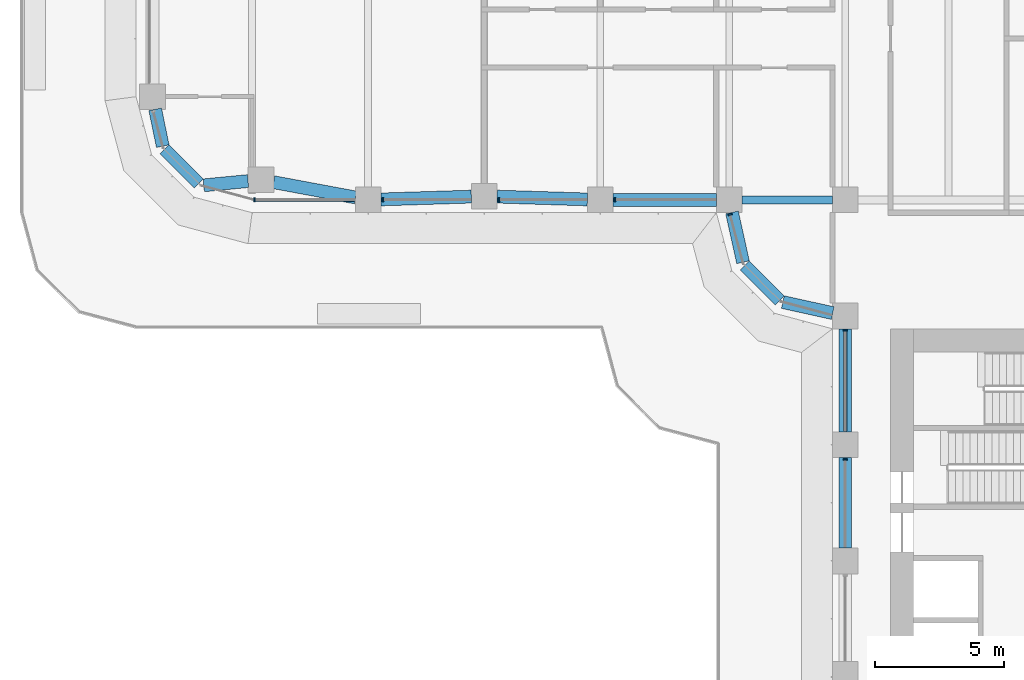
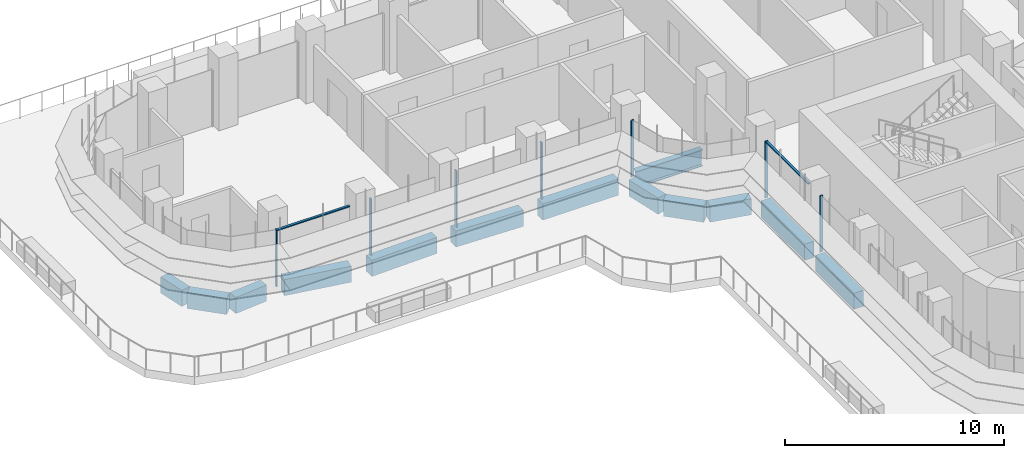
# One storey, part 3 of 26: 13 beams, 9 members, 3 elements without a shape of their own.
"""IFC4 building model written with IfcOpenShell, lengths in metres."""

from ifc_helpers import new_model, si_unit, direction, frame, origin, origin_2d, place, context, subcontext, project, spatial, polyline, rectangle, i_section, outline, extrude, source, transform, mapped, material, material_profile, profile_set, type_object, element, aggregate, save


model = new_model("IFC4")

# Units and contexts
model_context = context("Model", 3, precision=1e-05, world=origin(), true_north=direction((0.0, 1.0)))
body_context = subcontext(model_context, "Body", "Model", "MODEL_VIEW")
ifc_project = project(units=[si_unit("LENGTHUNIT", "METRE"), si_unit("AREAUNIT", "SQUARE_METRE"), si_unit("VOLUMEUNIT", "CUBIC_METRE"), si_unit("PLANEANGLEUNIT", "RADIAN"), si_unit("MASSUNIT", "GRAM", prefix="KILO")], contexts=[model_context])

# Site, building, storey
site_placement = place(None, origin())
site = spatial("IfcSite", under=ifc_project, at=site_placement, CompositionType="ELEMENT")
building_placement = place(site_placement, origin())
building = spatial("IfcBuilding", under=site, at=building_placement, Name="Zarbagh Exchange Tower", CompositionType="ELEMENT")
storey_placement = place(building_placement, frame((0.0, 0.0, 27.0)))
storey = spatial("IfcBuildingStorey", under=building, at=storey_placement, Name="L05", CompositionType="ELEMENT", Elevation=27.0)

# Beams
ifc_material_1 = material(Name="Steel ASTM A992 Gr 50", Category="steel")
ifc_material_profile_1 = material_profile(ifc_material_1, i_section(OverallWidth=0.3046875, OverallDepth=0.91943359375, WebThickness=0.017333984375, FlangeThickness=0.02783203125, at=origin_2d()), Name="W36X170")
ifc_profile_set_1 = profile_set([ifc_material_profile_1], Name="Steel ASTM A992 Gr 50")
beam_type_1 = type_object("IfcBeamType", Name="Floor girder W36X170", PredefinedType="BEAM", material=ifc_profile_set_1)
beam_1_placement = place(storey_placement, frame((-10.25, -6.25, -0.609619140625), z_axis=(1.0, 0.0, 0.0), x_axis=(0.0, 1.0, 0.0)))
element("IfcBeam", 1, at=beam_1_placement, inside=storey, type_object=beam_type_1, Name="Steel girder", PredefinedType="BEAM", context=body_context, shape_type="SweptSolid", body=[
    extrude(i_section(OverallWidth=0.3046875, OverallDepth=0.91943359375, WebThickness=0.017333984375, FlangeThickness=0.02783203125, at=origin_2d()), origin(), (0.0, 0.0, 1.0), 3.5),
])
ifc_material_2 = material(Name="Concrete C60/75", Category="concrete")
ifc_material_profile_2 = material_profile(ifc_material_2, rectangle(XDim=0.5, YDim=0.89990234375, at=origin_2d()), Name="RC spandrel beam 500 x 900 C60/75")
ifc_profile_set_2 = profile_set([ifc_material_profile_2], Name="Concrete C60/75")
beam_type_2 = type_object("IfcBeamType", Name="RC spandrel beam 500 x 900 C60/75", PredefinedType="SPANDREL", material=ifc_profile_set_2)
beam_2_placement = place(storey_placement, frame((-6.25, -19.75, -0.60009765625), z_axis=(0.0, 1.0, 0.0), x_axis=(-1.0, 0.0, 0.0)))
element("IfcBeam", 2, at=beam_2_placement, inside=storey, type_object=beam_type_2, Name="RC spandrel beam", PredefinedType="SPANDREL", context=body_context, shape_type="SweptSolid", body=[
    extrude(rectangle(XDim=0.5, YDim=0.89990234375, at=origin_2d()), origin(), (0.0, 0.0, 1.0), 3.5),
])
beam_3_placement = place(storey_placement, frame((-6.25, -15.25, -0.60009765625), z_axis=(0.0, 1.0, 0.0), x_axis=(-1.0, 0.0, 0.0)))
element("IfcBeam", 3, at=beam_3_placement, inside=storey, type_object=beam_type_2, Name="RC spandrel beam", PredefinedType="SPANDREL", context=body_context, shape_type="SweptSolid", body=[
    extrude(rectangle(XDim=0.5, YDim=0.89990234375, at=origin_2d()), origin(), (0.0, 0.0, 1.0), 4.0),
])
beam_4_placement = place(storey_placement, frame((-6.73828125, -10.64208984375, -0.60009765625), z_axis=(-0.976375426825, 0.216081063242, 0.0), x_axis=(-0.216081063242, -0.976375426825, 0.0)))
element("IfcBeam", 4, at=beam_4_placement, inside=storey, type_object=beam_type_2, Name="RC spandrel beam", PredefinedType="SPANDREL", context=body_context, shape_type="SweptSolid", body=[
    extrude(rectangle(XDim=0.5, YDim=0.89990234375, at=origin_2d()), origin(), (0.0, 0.0, 1.0), 1.978271484375),
])
beam_5_placement = place(storey_placement, frame((-8.792724609375, -10.147216796875, -0.60009765625), z_axis=(-0.707106781187, 0.707106781187, 0.0), x_axis=(-0.707106781187, -0.707106781187, 0.0)))
element("IfcBeam", 5, at=beam_5_placement, inside=storey, type_object=beam_type_2, Name="RC spandrel beam", PredefinedType="SPANDREL", context=body_context, shape_type="SweptSolid", body=[
    extrude(rectangle(XDim=0.5, YDim=0.89990234375, at=origin_2d()), origin(), (0.0, 0.0, 1.0), 1.91552734375),
])
beam_6_placement = place(storey_placement, frame((-10.214599609375, -8.669921875, -0.60009765625), z_axis=(-0.216081063242, 0.976375426825, 0.0), x_axis=(-0.976375426825, -0.216081063242, 0.0)))
element("IfcBeam", 6, at=beam_6_placement, inside=storey, type_object=beam_type_2, Name="RC spandrel beam", PredefinedType="SPANDREL", context=body_context, shape_type="SweptSolid", body=[
    extrude(rectangle(XDim=0.5, YDim=0.89990234375, at=origin_2d()), origin(), (0.0, 0.0, 1.0), 1.978271484375),
])
beam_7_placement = place(storey_placement, frame((-11.25, -6.25, -0.60009765625), z_axis=(-1.0, 0.0, 0.0), x_axis=(0.0, -1.0, 0.0)))
element("IfcBeam", 7, at=beam_7_placement, inside=storey, type_object=beam_type_2, Name="RC spandrel beam", PredefinedType="SPANDREL", context=body_context, shape_type="SweptSolid", body=[
    extrude(rectangle(XDim=0.5, YDim=0.89990234375, at=origin_2d()), origin(), (0.0, 0.0, 1.0), 4.0),
])
for number, where, z_axis, x_axis, name in (
    (8, (-16.249755859375, -6.234619140625, -0.60009765625), (-0.999514385708, 0.031160756759, 0.0), (-0.031160756759, -0.999514385708, 0.0), "RC spandrel beam"),
    (9, (-20.749755859375, -6.12548828125, -0.60009765625), (-0.999514385708, -0.031160756759, 0.0), (0.031160756759, -0.999514385708, 0.0), "RC spandrel beam"),
):
    element("IfcBeam", number, at=place(storey_placement, frame(where, z_axis=z_axis, x_axis=x_axis)), inside=storey, type_object=beam_type_2, Name=name, PredefinedType="SPANDREL", context=body_context, shape_type="SweptSolid", body=[
        extrude(rectangle(XDim=0.5, YDim=0.89990234375, at=origin_2d()), origin(), (0.0, 0.0, 1.0), 3.502197265625),
    ])
beam_8_placement = place(storey_placement, frame((-25.241455078125, -6.158447265625, -0.60009765625), z_axis=(-0.983069300761, 0.183234139565, 0.0), x_axis=(-0.183234139565, -0.983069300761, 0.0)))
element("IfcBeam", 10, at=beam_8_placement, inside=storey, type_object=beam_type_2, Name="RC spandrel beam", PredefinedType="SPANDREL", context=body_context, shape_type="SweptSolid", body=[
    extrude(rectangle(XDim=0.5, YDim=0.89990234375, at=origin_2d()), origin(), (0.0, 0.0, 1.0), 3.229736328125),
])
beam_9_placement = place(storey_placement, frame((-29.40576171875, -5.522705078125, -0.60009765625), z_axis=(-0.995431032456, -0.095483294999, 0.0), x_axis=(0.095483294999, -0.995431032456, 0.0)))
element("IfcBeam", 11, at=beam_9_placement, inside=storey, type_object=beam_type_2, Name="RC spandrel beam", PredefinedType="SPANDREL", context=body_context, shape_type="SweptSolid", body=[
    extrude(rectangle(XDim=0.5, YDim=0.89990234375, at=origin_2d()), origin(), (0.0, 0.0, 1.0), 1.725830078125),
])
beam_10_placement = place(storey_placement, frame((-31.324462890625, -5.615478515625, -0.60009765625), z_axis=(-0.707172099812, 0.707041456527, 0.0), x_axis=(-0.707041456527, -0.707172099812, 0.0)))
element("IfcBeam", 12, at=beam_10_placement, inside=storey, type_object=beam_type_2, Name="RC spandrel beam", PredefinedType="SPANDREL", context=body_context, shape_type="SweptSolid", body=[
    extrude(rectangle(XDim=0.5, YDim=0.89990234375, at=origin_2d()), origin(), (0.0, 0.0, 1.0), 1.86865234375),
])
beam_11_placement = place(storey_placement, frame((-32.714111328125, -4.16796875, -0.60009765625), z_axis=(-0.202068589164, 0.9793713725, 0.0), x_axis=(-0.9793713725, -0.202068589164, 0.0)))
element("IfcBeam", 13, at=beam_11_placement, inside=storey, type_object=beam_type_2, Name="RC spandrel beam", PredefinedType="SPANDREL", context=body_context, shape_type="SweptSolid", body=[
    extrude(rectangle(XDim=0.5, YDim=0.89990234375, at=origin_2d()), origin(), (0.0, 0.0, 1.0), 1.458251953125),
])

# Curtain wall, members
ifc_material_3 = material(Name="Anodised aluminium frame and glazing", Category="aluminium")
curtain_wall_type = type_object("IfcCurtainWallType", Name="CWA Ribbon glazing, lower zones", PredefinedType="NOTDEFINED", material=ifc_material_3)
curtain_wall_1_placement = place(storey_placement, origin())
curtain_wall_1 = element("IfcCurtainWall", 14, at=curtain_wall_1_placement, inside=storey, type_object=curtain_wall_type, Name="CWA40 curtain wall", PredefinedType="NOTDEFINED")
ifc_material_4 = material(Name="Anodised aluminium frame", Category="aluminium")
member_type_1 = type_object("IfcMemberType", Name="MUA Mullion, anodised aluminium frame", PredefinedType="MULLION", material=ifc_material_4)
shared_shape_1 = source(origin(), body_context, "Body", "SweptSolid", [
    extrude(outline(polyline([(0.0, -0.080078125), (0.06005859375, -0.080078125), (0.06005859375, 0.080078125), (0.0, 0.080078125), (0.0, -0.080078125)])), origin(), (0.0, 0.0, 1.0), 3.14990234375),
])
placement = place(storey_placement, origin())
member_1 = element("IfcMember", 15, at=placement, type_object=member_type_1, Name="CWA40 mullion 1.1", PredefinedType="MULLION", context=body_context, shape_type="MappedRepresentation", body=[
    mapped(shared_shape_1, transform((-29.18408203125, -6.25, 0.0), x_axis=(1.0, 0.0, 0.0), y_axis=(0.0, 1.0, 0.0), z_axis=(0.0, 0.0, 1.0))),
])
member_2 = element("IfcMember", 16, at=placement, type_object=member_type_1, Name="CWA40 mullion 2.1", PredefinedType="MULLION", context=body_context, shape_type="MappedRepresentation", body=[
    mapped(shared_shape_1, transform((-24.2099609375, -6.25, 0.0), x_axis=(1.0, 0.0, 0.0), y_axis=(0.0, 1.0, 0.0), z_axis=(0.0, 0.0, 1.0))),
])
member_3 = element("IfcMember", 17, at=placement, type_object=member_type_1, Name="CWA40 mullion 3.1", PredefinedType="MULLION", context=body_context, shape_type="MappedRepresentation", body=[
    mapped(shared_shape_1, transform((-19.7099609375, -6.25, 0.0), x_axis=(1.0, 0.0, 0.0), y_axis=(0.0, 1.0, 0.0), z_axis=(0.0, 0.0, 1.0))),
])
member_4 = element("IfcMember", 18, at=placement, type_object=member_type_1, Name="CWA40 mullion 4.1", PredefinedType="MULLION", context=body_context, shape_type="MappedRepresentation", body=[
    mapped(shared_shape_1, transform((-15.2099609375, -6.25, 0.0), x_axis=(1.0, 0.0, 0.0), y_axis=(0.0, 1.0, 0.0), z_axis=(0.0, 0.0, 1.0))),
])

# Curtain wall, member
curtain_wall_2_placement = place(storey_placement, origin())
curtain_wall_2 = element("IfcCurtainWall", 19, at=curtain_wall_2_placement, inside=storey, type_object=curtain_wall_type, Name="CWA41 curtain wall", PredefinedType="NOTDEFINED")
member_5 = element("IfcMember", 20, at=placement, type_object=member_type_1, Name="CWA41 mullion 1.1", PredefinedType="MULLION", context=body_context, shape_type="MappedRepresentation", body=[
    mapped(shared_shape_1, transform((-10.7216796875, -6.7900390625, 0.0), x_axis=(0.258824779902, -0.965924289636, 0.0), y_axis=(0.965924289636, 0.258824779902, 0.0), z_axis=(0.0, 0.0, 1.0))),
])
aggregate(curtain_wall_2, [member_5])

# Curtain wall, members
curtain_wall_3_placement = place(storey_placement, origin())
curtain_wall_3 = element("IfcCurtainWall", 21, at=curtain_wall_3_placement, inside=storey, type_object=curtain_wall_type, Name="CWA44 curtain wall", PredefinedType="NOTDEFINED")
member_6 = element("IfcMember", 22, at=placement, type_object=member_type_1, Name="CWA44 mullion 1.1", PredefinedType="MULLION", context=body_context, shape_type="MappedRepresentation", body=[
    mapped(shared_shape_1, transform((-6.25, -11.2900390625, 0.0), x_axis=(0.0, -1.0, 0.0), y_axis=(1.0, 0.0, 0.0), z_axis=(0.0, 0.0, 1.0))),
])
member_7 = element("IfcMember", 23, at=placement, type_object=member_type_1, Name="CWA44 mullion 2.1", PredefinedType="MULLION", context=body_context, shape_type="MappedRepresentation", body=[
    mapped(shared_shape_1, transform((-6.25, -16.2900390625, 0.0), x_axis=(0.0, -1.0, 0.0), y_axis=(1.0, 0.0, 0.0), z_axis=(0.0, 0.0, 1.0))),
])
member_type_2 = type_object("IfcMemberType", Name="TRA Transom, anodised aluminium frame", PredefinedType="USERDEFINED", material=ifc_material_4)
shared_shape_2 = source(origin(), body_context, "Body", "SweptSolid", [
    extrude(outline(polyline([(-0.06005859375, -0.06005859375), (0.0, -0.06005859375), (0.0, 0.06005859375), (-0.06005859375, 0.06005859375), (-0.06005859375, -0.06005859375)])), origin(), (0.0, 0.0, 1.0), 3.860107421875),
])
member_8 = element("IfcMember", 24, at=placement, type_object=member_type_2, Name="CWA44 transom 1.1", ObjectType="TRANSOM", PredefinedType="USERDEFINED", context=body_context, shape_type="MappedRepresentation", body=[
    mapped(shared_shape_2, transform((-6.25, -11.35009765625, 3.14990234375), x_axis=(0.0, 0.0, 1.0), y_axis=(-1.0, 0.0, 0.0), z_axis=(0.0, -1.0, 0.0))),
])
aggregate(curtain_wall_3, [member_6, member_8, member_7])

# Member
shared_shape_3 = source(origin(), body_context, "Body", "SweptSolid", [
    extrude(outline(polyline([(-0.06005859375, -0.06005859375), (0.0, -0.06005859375), (0.0, 0.06005859375), (-0.06005859375, 0.06005859375), (-0.06005859375, -0.06005859375)])), origin(), (0.0, 0.0, 1.0), 3.834228515625),
])
member_9 = element("IfcMember", 25, at=placement, type_object=member_type_2, Name="CWA40 transom 1.1", ObjectType="TRANSOM", PredefinedType="USERDEFINED", context=body_context, shape_type="MappedRepresentation", body=[
    mapped(shared_shape_3, transform((-29.124267578125, -6.25, 3.14990234375), x_axis=(0.0, 0.0, 1.0), y_axis=(0.0, -1.0, 0.0), z_axis=(1.0, 0.0, 0.0))),
])

aggregate(curtain_wall_1, [member_1, member_9, member_2, member_3, member_4])

save(model, "model.ifc")
